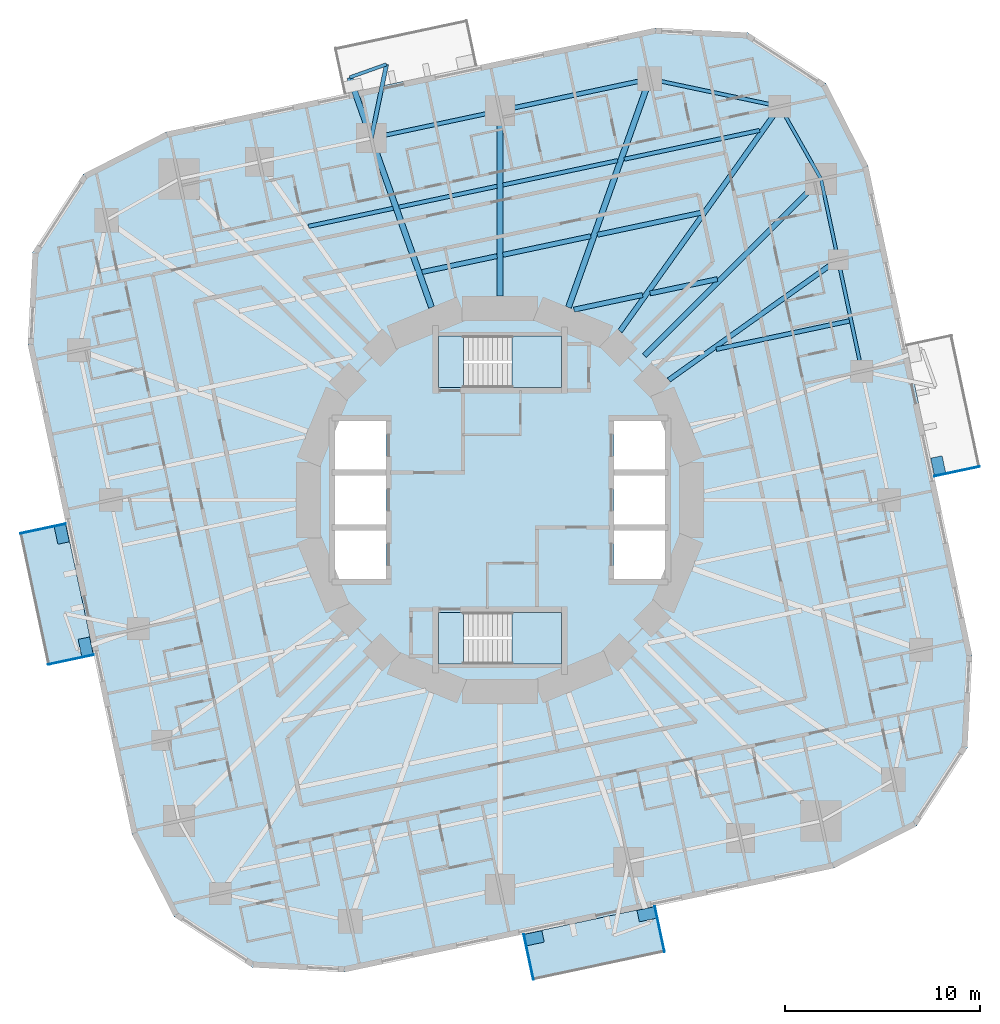
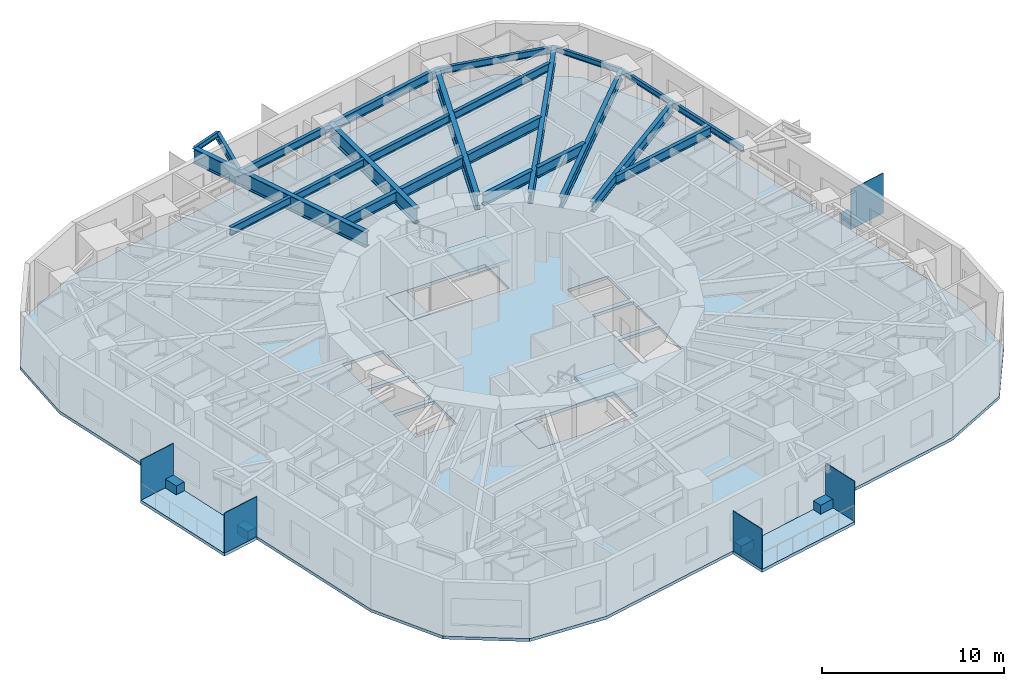
# One storey, part 3 of 14: 24 beams, 10 plates, 7 slabs, 2 elements without a shape of their own.
"""IFC4 building model written with IfcOpenShell, lengths in metres."""

from ifc_helpers import new_model, si_unit, direction, frame, origin, origin_2d, place, context, subcontext, project, spatial, polyline, rectangle, i_section, outline, extrude, material, layer, layer_set, material_profile, profile_set, type_object, element, aggregate, save


model = new_model("IFC4")

# Units and contexts
model_context = context("Model", 3, precision=1e-05, world=origin(), true_north=direction((0.0, 1.0)))
body_context = subcontext(model_context, "Body", "Model", "MODEL_VIEW")
ifc_project = project(units=[si_unit("LENGTHUNIT", "METRE"), si_unit("AREAUNIT", "SQUARE_METRE"), si_unit("VOLUMEUNIT", "CUBIC_METRE"), si_unit("PLANEANGLEUNIT", "RADIAN"), si_unit("MASSUNIT", "GRAM", prefix="KILO")], contexts=[model_context])

# Site, building, storey
site_placement = place(None, origin())
site = spatial("IfcSite", under=ifc_project, at=site_placement, CompositionType="ELEMENT")
building_placement = place(site_placement, origin())
building = spatial("IfcBuilding", under=site, at=building_placement, Name="Nakasero Lantern House", CompositionType="ELEMENT")
storey_placement = place(building_placement, frame((0.0, 0.0, 108.85009765625)))
storey = spatial("IfcBuildingStorey", under=building, at=storey_placement, Name="L26", CompositionType="ELEMENT", Elevation=108.85009765625)

# Beams
ifc_material_1 = material(Name="Steel S355", Category="steel")
ifc_material_profile_1 = material_profile(ifc_material_1, i_section(OverallWidth=0.2138671875, OverallDepth=0.549072265625, WebThickness=0.0146484375, FlangeThickness=0.023681640625, FilletRadius=0.0126953125, at=origin_2d()), Name="UB 533x210x138")
ifc_profile_set_1 = profile_set([ifc_material_profile_1], Name="Steel S355")
beam_type_1 = type_object("IfcBeamType", Name="Balcony splay beam UB 533x210x138", PredefinedType="BEAM", material=ifc_profile_set_1)
beam_1_placement = place(storey_placement, frame((-6.590087890625, 18.534912109375, 3.375244140625), z_axis=(0.201831438605, 0.979420272605, 0.0), x_axis=(-0.979420272605, 0.201831438605, 0.0)))
element("IfcBeam", 1, at=beam_1_placement, inside=storey, type_object=beam_type_1, Name="Balcony splay beam L27 B3-C10A", PredefinedType="BEAM", context=body_context, shape_type="SweptSolid", body=[
    extrude(i_section(OverallWidth=0.2138671875, OverallDepth=0.549072265625, WebThickness=0.0146484375, FlangeThickness=0.023681640625, FilletRadius=0.0126953125, at=origin_2d()), origin(), (0.0, 0.0, 1.0), 3.858642578125),
])
ifc_material_2 = material(Name="Steel S355", Category="steel")
ifc_material_profile_2 = material_profile(ifc_material_2, i_section(OverallWidth=0.17138671875, OverallDepth=0.35498046875, WebThickness=0.00732421875, FlangeThickness=0.011474609375, FilletRadius=0.01025390625, at=origin_2d()), Name="UB 356x171x51")
ifc_profile_set_2 = profile_set([ifc_material_profile_2], Name="Steel S355")
beam_type_2 = type_object("IfcBeamType", Name="Balcony tie beam UB 356x171x51", PredefinedType="BEAM", material=ifc_profile_set_2)
beam_2_placement = place(storey_placement, frame((-5.811279296875, 22.314208984375, 3.472412109375), z_axis=(-0.942196708721, -0.335060236487, 0.0), x_axis=(0.335060236487, -0.942196708721, 0.0)))
element("IfcBeam", 2, at=beam_2_placement, inside=storey, type_object=beam_type_2, Name="Balcony tie beam L27 B3-C10", PredefinedType="BEAM", context=body_context, shape_type="SweptSolid", body=[
    extrude(i_section(OverallWidth=0.17138671875, OverallDepth=0.35498046875, WebThickness=0.00732421875, FlangeThickness=0.011474609375, FilletRadius=0.01025390625, at=origin_2d()), origin(), (0.0, 0.0, 1.0), 2.000244140625),
])
ifc_material_3 = material(Name="Steel S355", Category="steel")
ifc_material_profile_3 = material_profile(ifc_material_3, i_section(OverallWidth=0.2099609375, OverallDepth=0.53662109375, WebThickness=0.0107421875, FlangeThickness=0.017333984375, FilletRadius=0.0126953125, at=origin_2d()), Name="UB 533x210x101")
ifc_profile_set_3 = profile_set([ifc_material_profile_3], Name="Steel S355")
beam_type_3 = type_object("IfcBeamType", Name="Infill beam UB 533x210x101", PredefinedType="JOIST", material=ifc_profile_set_3)
beam_3_placement = place(storey_placement, frame((-9.810302734375, 14.0166015625, 3.381591796875), z_axis=(0.978149057111, 0.207904838982, 0.0), x_axis=(-0.207904838982, 0.978149057111, 0.0)))
element("IfcBeam", 3, at=beam_3_placement, inside=storey, type_object=beam_type_3, Name="Infill beam L27 12.4", PredefinedType="JOIST", context=body_context, shape_type="SweptSolid", body=[
    extrude(i_section(OverallWidth=0.2099609375, OverallDepth=0.53662109375, WebThickness=0.0107421875, FlangeThickness=0.017333984375, FilletRadius=0.0126953125, at=origin_2d()), origin(), (0.0, 0.0, 1.0), 4.435302734375),
])
beam_4_placement = place(storey_placement, frame((-5.173828125, 15.002197265625, 3.381591796875), z_axis=(0.978153894908, 0.207882076853, 0.0), x_axis=(-0.207882076853, 0.978153894908, 0.0)))
element("IfcBeam", 4, at=beam_4_placement, inside=storey, type_object=beam_type_3, Name="Infill beam L27 12.5", PredefinedType="JOIST", context=body_context, shape_type="SweptSolid", body=[
    extrude(i_section(OverallWidth=0.2099609375, OverallDepth=0.53662109375, WebThickness=0.0107421875, FlangeThickness=0.017333984375, FilletRadius=0.0126953125, at=origin_2d()), origin(), (0.0, 0.0, 1.0), 5.13330078125),
])
beam_5_placement = place(storey_placement, frame((0.152587890625, 16.13427734375, 3.381591796875), z_axis=(0.978149438519, 0.207903044531, 0.0), x_axis=(-0.207903044531, 0.978149438519, 0.0)))
element("IfcBeam", 5, at=beam_5_placement, inside=storey, type_object=beam_type_3, Name="Infill beam L27 12.6", PredefinedType="JOIST", context=body_context, shape_type="SweptSolid", body=[
    extrude(i_section(OverallWidth=0.2099609375, OverallDepth=0.53662109375, WebThickness=0.0107421875, FlangeThickness=0.017333984375, FilletRadius=0.0126953125, at=origin_2d()), origin(), (0.0, 0.0, 1.0), 5.99951171875),
])
beam_6_placement = place(storey_placement, frame((6.365478515625, 17.454833984375, 3.381591796875), z_axis=(0.978149480204, 0.207902848411, 0.0), x_axis=(-0.207902848411, 0.978149480204, 0.0)))
element("IfcBeam", 6, at=beam_6_placement, inside=storey, type_object=beam_type_3, Name="Infill beam L27 12.7", PredefinedType="JOIST", context=body_context, shape_type="SweptSolid", body=[
    extrude(i_section(OverallWidth=0.2099609375, OverallDepth=0.53662109375, WebThickness=0.0107421875, FlangeThickness=0.017333984375, FilletRadius=0.0126953125, at=origin_2d()), origin(), (0.0, 0.0, 1.0), 7.085693359375),
])
ifc_material_4 = material(Name="Steel S355", Category="steel")
ifc_material_profile_4 = material_profile(ifc_material_4, i_section(OverallWidth=0.2275390625, OverallDepth=0.6025390625, WebThickness=0.010498046875, FlangeThickness=0.014892578125, FilletRadius=0.0126953125, at=origin_2d()), Name="UB 610x229x101")
ifc_profile_set_4 = profile_set([ifc_material_profile_4], Name="Steel S355")
beam_type_4 = type_object("IfcBeamType", Name="Infill beam UB 610x229x101", PredefinedType="JOIST", material=ifc_profile_set_4)
beam_7_placement = place(storey_placement, frame((11.077880859375, 7.721923828125, 3.3486328125), z_axis=(0.978143535939, 0.207930813255, 0.0), x_axis=(-0.207930813255, 0.978143535939, 0.0)))
element("IfcBeam", 7, at=beam_7_placement, inside=storey, type_object=beam_type_4, Name="Infill beam L27 09.3", PredefinedType="JOIST", context=body_context, shape_type="SweptSolid", body=[
    extrude(i_section(OverallWidth=0.2275390625, OverallDepth=0.6025390625, WebThickness=0.010498046875, FlangeThickness=0.014892578125, FilletRadius=0.0126953125, at=origin_2d()), origin(), (0.0, 0.0, 1.0), 6.9697265625),
])
ifc_material_5 = material(Name="Steel S355", Category="steel")
ifc_material_profile_5 = material_profile(ifc_material_5, i_section(OverallWidth=0.253662109375, OverallDepth=0.68359375, WebThickness=0.012451171875, FlangeThickness=0.01904296875, FilletRadius=0.01513671875, at=origin_2d()), Name="UB 686x254x140")
ifc_profile_set_5 = profile_set([ifc_material_profile_5], Name="Steel S355")
beam_type_5 = type_object("IfcBeamType", Name="Infill beam UB 686x254x140", PredefinedType="JOIST", material=ifc_profile_set_5)
beam_8_placement = place(storey_placement, frame((-3.990966796875, 11.67529296875, 3.30810546875), z_axis=(0.978145250615, 0.20792274695, 0.0), x_axis=(-0.20792274695, 0.978145250615, 0.0)))
element("IfcBeam", 8, at=beam_8_placement, inside=storey, type_object=beam_type_5, Name="Infill beam L27 11.4", PredefinedType="JOIST", context=body_context, shape_type="SweptSolid", body=[
    extrude(i_section(OverallWidth=0.253662109375, OverallDepth=0.68359375, WebThickness=0.012451171875, FlangeThickness=0.01904296875, FilletRadius=0.01513671875, at=origin_2d()), origin(), (0.0, 0.0, 1.0), 3.924072265625),
])
beam_9_placement = place(storey_placement, frame((0.152587890625, 12.55615234375, 3.30810546875), z_axis=(0.978148041119, 0.207909618957, 0.0), x_axis=(-0.207909618957, 0.978148041119, 0.0)))
element("IfcBeam", 9, at=beam_9_placement, inside=storey, type_object=beam_type_5, Name="Infill beam L27 11.5", PredefinedType="JOIST", context=body_context, shape_type="SweptSolid", body=[
    extrude(i_section(OverallWidth=0.253662109375, OverallDepth=0.68359375, WebThickness=0.012451171875, FlangeThickness=0.01904296875, FilletRadius=0.01513671875, at=origin_2d()), origin(), (0.0, 0.0, 1.0), 4.592529296875),
])
beam_10_placement = place(storey_placement, frame((4.989013671875, 13.584228515625, 3.30810546875), z_axis=(0.978155764637, 0.207873278962, 0.0), x_axis=(-0.207873278962, 0.978155764637, 0.0)))
element("IfcBeam", 10, at=beam_10_placement, inside=storey, type_object=beam_type_5, Name="Infill beam L27 11.6", PredefinedType="JOIST", context=body_context, shape_type="SweptSolid", body=[
    extrude(i_section(OverallWidth=0.253662109375, OverallDepth=0.68359375, WebThickness=0.012451171875, FlangeThickness=0.01904296875, FilletRadius=0.01513671875, at=origin_2d()), origin(), (0.0, 0.0, 1.0), 5.428466796875),
])
ifc_material_6 = material(Name="Steel S355", Category="steel")
ifc_material_profile_6 = material_profile(ifc_material_6, i_section(OverallWidth=0.255859375, OverallDepth=0.69287109375, WebThickness=0.014404296875, FlangeThickness=0.023681640625, FilletRadius=0.01513671875, at=origin_2d()), Name="UB 686x254x170")
ifc_profile_set_6 = profile_set([ifc_material_profile_6], Name="Steel S355")
beam_type_6 = type_object("IfcBeamType", Name="Infill beam UB 686x254x170", PredefinedType="JOIST", material=ifc_profile_set_6)
beam_11_placement = place(storey_placement, frame((3.78759765625, 9.75048828125, 3.303466796875), z_axis=(0.978149176892, 0.207904275439, 0.0), x_axis=(-0.207904275439, 0.978149176892, 0.0)))
element("IfcBeam", 11, at=beam_11_placement, inside=storey, type_object=beam_type_6, Name="Infill beam L27 10.4", PredefinedType="JOIST", context=body_context, shape_type="SweptSolid", body=[
    extrude(i_section(OverallWidth=0.255859375, OverallDepth=0.69287109375, WebThickness=0.014404296875, FlangeThickness=0.023681640625, FilletRadius=0.01513671875, at=origin_2d()), origin(), (0.0, 0.0, 1.0), 3.59228515625),
])
beam_12_placement = place(storey_placement, frame((7.686767578125, 10.579345703125, 3.303466796875), z_axis=(0.97814493323, 0.20792424004, 0.0), x_axis=(-0.20792424004, 0.97814493323, 0.0)))
element("IfcBeam", 12, at=beam_12_placement, inside=storey, type_object=beam_type_6, Name="Infill beam L27 10.5", PredefinedType="JOIST", context=body_context, shape_type="SweptSolid", body=[
    extrude(i_section(OverallWidth=0.255859375, OverallDepth=0.69287109375, WebThickness=0.014404296875, FlangeThickness=0.023681640625, FilletRadius=0.01513671875, at=origin_2d()), origin(), (0.0, 0.0, 1.0), 3.5224609375),
])
ifc_material_7 = material(Name="Steel S355", Category="steel")
ifc_material_profile_7 = material_profile(ifc_material_7, i_section(OverallWidth=0.300048828125, OverallDepth=0.989990234375, WebThickness=0.0166015625, FlangeThickness=0.031005859375, FilletRadius=0.030029296875, at=origin_2d()), Name="UB 1016x305x272")
ifc_profile_set_7 = profile_set([ifc_material_profile_7], Name="Steel S355")
beam_type_7 = type_object("IfcBeamType", Name="Primary beam UB 1016x305x272, span 12 to 15 m", PredefinedType="BEAM", material=ifc_profile_set_7)
beam_13_placement = place(storey_placement, frame((7.667724609375, 21.5654296875, 3.15478515625), z_axis=(-0.335011995103, -0.942213862739, 0.0), x_axis=(0.942213862739, -0.335011995103, 0.0)))
element("IfcBeam", 13, at=beam_13_placement, inside=storey, type_object=beam_type_7, Name="Primary beam L27 B3-C08", PredefinedType="BEAM", context=body_context, shape_type="SweptSolid", body=[
    extrude(i_section(OverallWidth=0.300048828125, OverallDepth=0.989990234375, WebThickness=0.0166015625, FlangeThickness=0.031005859375, FilletRadius=0.030029296875, at=origin_2d()), origin(), (0.0, 0.0, 1.0), 12.41650390625),
])
ifc_material_8 = material(Name="Steel S355", Category="steel")
ifc_material_profile_8 = material_profile(ifc_material_8, i_section(OverallWidth=0.302001953125, OverallDepth=1.008056640625, WebThickness=0.02099609375, FlangeThickness=0.0400390625, FilletRadius=0.030029296875, at=origin_2d()), Name="UB 1016x305x349")
ifc_profile_set_8 = profile_set([ifc_material_profile_8], Name="Steel S355")
beam_type_8 = type_object("IfcBeamType", Name="Primary beam UB 1016x305x349, span 9 to 12 m", PredefinedType="BEAM", material=ifc_profile_set_8)
beam_14_placement = place(storey_placement, frame((-7.69580078125, 21.64404296875, 3.145751953125), z_axis=(0.335020841845, -0.942210717159, 0.0), x_axis=(0.942210717159, 0.335020841845, 0.0)))
element("IfcBeam", 14, at=beam_14_placement, inside=storey, type_object=beam_type_8, Name="Primary beam L27 B3-C10", PredefinedType="BEAM", context=body_context, shape_type="SweptSolid", body=[
    extrude(i_section(OverallWidth=0.302001953125, OverallDepth=1.008056640625, WebThickness=0.02099609375, FlangeThickness=0.0400390625, FilletRadius=0.030029296875, at=origin_2d()), origin(), (0.0, 0.0, 1.0), 12.5),
])
ifc_material_9 = material(Name="Steel S355", Category="steel")
ifc_material_profile_9 = material_profile(ifc_material_9, i_section(OverallWidth=0.305419921875, OverallDepth=1.026123046875, WebThickness=0.02685546875, FlangeThickness=0.049072265625, FilletRadius=0.030029296875, at=origin_2d()), Name="UB 1016x305x437")
ifc_profile_set_9 = profile_set([ifc_material_profile_9], Name="Steel S355")
beam_type_9 = type_object("IfcBeamType", Name="Primary beam UB 1016x305x437, span 9 to 12 m", PredefinedType="BEAM", material=ifc_profile_set_9)
beam_15_placement = place(storey_placement, frame((0.0, 19.935546875, 3.136962890625), z_axis=(0.0, -1.0, 0.0), x_axis=(1.0, 0.0, 0.0)))
element("IfcBeam", 15, at=beam_15_placement, inside=storey, type_object=beam_type_9, Name="Primary beam L27 B3-C09", PredefinedType="BEAM", context=body_context, shape_type="SweptSolid", body=[
    extrude(i_section(OverallWidth=0.305419921875, OverallDepth=1.026123046875, WebThickness=0.02685546875, FlangeThickness=0.049072265625, FilletRadius=0.030029296875, at=origin_2d()), origin(), (0.0, 0.0, 1.0), 9.477783203125),
])
ifc_material_10 = material(Name="Steel S355", Category="steel")
ifc_material_profile_10 = material_profile(ifc_material_10, i_section(OverallWidth=0.253662109375, OverallDepth=0.68359375, WebThickness=0.012451171875, FlangeThickness=0.01904296875, FilletRadius=0.01513671875, at=origin_2d()), Name="UB 686x254x140")
ifc_profile_set_10 = profile_set([ifc_material_profile_10], Name="Steel S355")
beam_type_10 = type_object("IfcBeamType", Name="Primary beam UB 686x254x140, span 12 to 15 m", PredefinedType="BEAM", material=ifc_profile_set_10)
beam_16_placement = place(storey_placement, frame((16.44091796875, 16.44091796875, 3.30810546875), z_axis=(-0.707106781187, -0.707106781187, 0.0), x_axis=(0.707106781187, -0.707106781187, 0.0)))
element("IfcBeam", 16, at=beam_16_placement, inside=storey, type_object=beam_type_10, Name="Primary beam L27 B3-C06", PredefinedType="BEAM", context=body_context, shape_type="SweptSolid", body=[
    extrude(i_section(OverallWidth=0.253662109375, OverallDepth=0.68359375, WebThickness=0.012451171875, FlangeThickness=0.01904296875, FilletRadius=0.01513671875, at=origin_2d()), origin(), (0.0, 0.0, 1.0), 12.793212890625),
])
ifc_material_11 = material(Name="Steel S355", Category="steel")
ifc_material_profile_11 = material_profile(ifc_material_11, i_section(OverallWidth=0.253662109375, OverallDepth=0.68359375, WebThickness=0.012451171875, FlangeThickness=0.01904296875, FilletRadius=0.01513671875, at=origin_2d()), Name="UB 686x254x140")
ifc_profile_set_11 = profile_set([ifc_material_profile_11], Name="Steel S355")
beam_type_11 = type_object("IfcBeamType", Name="Primary beam UB 686x254x140, span 9 to 12 m", PredefinedType="BEAM", material=ifc_profile_set_11)
beam_17_placement = place(storey_placement, frame((17.318115234375, 12.31494140625, 3.30810546875), z_axis=(-0.814957491022, -0.579520739774, 0.0), x_axis=(0.579520739774, -0.814957491022, 0.0)))
element("IfcBeam", 17, at=beam_17_placement, inside=storey, type_object=beam_type_11, Name="Primary beam L27 B3-C05", PredefinedType="BEAM", context=body_context, shape_type="SweptSolid", body=[
    extrude(i_section(OverallWidth=0.253662109375, OverallDepth=0.68359375, WebThickness=0.012451171875, FlangeThickness=0.01904296875, FilletRadius=0.01513671875, at=origin_2d()), origin(), (0.0, 0.0, 1.0), 10.64453125),
])
ifc_material_12 = material(Name="Steel S355", Category="steel")
ifc_material_profile_12 = material_profile(ifc_material_12, i_section(OverallWidth=0.2666015625, OverallDepth=0.76220703125, WebThickness=0.014404296875, FlangeThickness=0.021484375, FilletRadius=0.0166015625, at=origin_2d()), Name="UB 762x267x173")
ifc_profile_set_12 = profile_set([ifc_material_profile_12], Name="Steel S355")
beam_type_12 = type_object("IfcBeamType", Name="Primary beam UB 762x267x173, span 12 to 15 m", PredefinedType="BEAM", material=ifc_profile_set_12)
beam_18_placement = place(storey_placement, frame((14.33349609375, 20.15625, 3.268798828125), z_axis=(-0.57953679421, -0.814946074386, 0.0), x_axis=(0.814946074386, -0.57953679421, 0.0)))
element("IfcBeam", 18, at=beam_18_placement, inside=storey, type_object=beam_type_12, Name="Primary beam L27 B3-C07", PredefinedType="BEAM", context=body_context, shape_type="SweptSolid", body=[
    extrude(i_section(OverallWidth=0.2666015625, OverallDepth=0.76220703125, WebThickness=0.014404296875, FlangeThickness=0.021484375, FilletRadius=0.0166015625, at=origin_2d()), origin(), (0.0, 0.0, 1.0), 14.127197265625),
])
ifc_material_13 = material(Name="Steel S355", Category="steel")
ifc_material_profile_13 = material_profile(ifc_material_13, i_section(OverallWidth=0.17138671875, OverallDepth=0.35498046875, WebThickness=0.00732421875, FlangeThickness=0.011474609375, FilletRadius=0.01025390625, at=origin_2d()), Name="UB 356x171x51")
ifc_profile_set_13 = profile_set([ifc_material_profile_13], Name="Steel S355")
beam_type_13 = type_object("IfcBeamType", Name="Ring beam UB 356x171x51", PredefinedType="BEAM", material=ifc_profile_set_13)
beam_19_placement = place(storey_placement, frame((17.318115234375, 12.31494140625, 3.472412109375), z_axis=(-0.207955665195, 0.978138252658, 0.0), x_axis=(-0.978138252658, -0.207955665195, 0.0)))
element("IfcBeam", 19, at=beam_19_placement, inside=storey, type_object=beam_type_13, Name="Ring beam L27 B3-C05", PredefinedType="BEAM", context=body_context, shape_type="SweptSolid", body=[
    extrude(i_section(OverallWidth=0.17138671875, OverallDepth=0.35498046875, WebThickness=0.00732421875, FlangeThickness=0.011474609375, FilletRadius=0.01025390625, at=origin_2d()), origin(), (0.0, 0.0, 1.0), 4.21826171875),
])
beam_20_placement = place(storey_placement, frame((16.44091796875, 16.44091796875, 3.472412109375), z_axis=(-0.493378832737, 0.869814536213, 0.0), x_axis=(-0.869814536213, -0.493378832737, 0.0)))
element("IfcBeam", 20, at=beam_20_placement, inside=storey, type_object=beam_type_13, Name="Ring beam L27 B3-C06", PredefinedType="BEAM", context=body_context, shape_type="SweptSolid", body=[
    extrude(i_section(OverallWidth=0.17138671875, OverallDepth=0.35498046875, WebThickness=0.00732421875, FlangeThickness=0.011474609375, FilletRadius=0.01025390625, at=origin_2d()), origin(), (0.0, 0.0, 1.0), 4.271484375),
])
ifc_material_14 = material(Name="Steel S355", Category="steel")
ifc_material_profile_14 = material_profile(ifc_material_14, i_section(OverallWidth=0.177978515625, OverallDepth=0.406494140625, WebThickness=0.0078125, FlangeThickness=0.0126953125, FilletRadius=0.01025390625, at=origin_2d()), Name="UB 406x178x60")
ifc_profile_set_14 = profile_set([ifc_material_profile_14], Name="Steel S355")
beam_type_14 = type_object("IfcBeamType", Name="Ring beam UB 406x178x60", PredefinedType="BEAM", material=ifc_profile_set_14)
beam_21_placement = place(storey_placement, frame((18.534912109375, 6.590087890625, 3.44677734375), z_axis=(-0.207902159541, 0.978149626621, 0.0), x_axis=(-0.978149626621, -0.207902159541, 0.0)))
element("IfcBeam", 21, at=beam_21_placement, inside=storey, type_object=beam_type_14, Name="Ring beam L27 B3-C04", PredefinedType="BEAM", context=body_context, shape_type="SweptSolid", body=[
    extrude(i_section(OverallWidth=0.177978515625, OverallDepth=0.406494140625, WebThickness=0.0078125, FlangeThickness=0.0126953125, FilletRadius=0.01025390625, at=origin_2d()), origin(), (0.0, 0.0, 1.0), 5.852783203125),
])
ifc_material_15 = material(Name="Steel S355", Category="steel")
ifc_material_profile_15 = material_profile(ifc_material_15, i_section(OverallWidth=0.18994140625, OverallDepth=0.453369140625, WebThickness=0.008544921875, FlangeThickness=0.0126953125, FilletRadius=0.01025390625, at=origin_2d()), Name="UB 457x191x67")
ifc_profile_set_15 = profile_set([ifc_material_profile_15], Name="Steel S355")
beam_type_15 = type_object("IfcBeamType", Name="Ring beam UB 457x191x67", PredefinedType="BEAM", material=ifc_profile_set_15)
beam_22_placement = place(storey_placement, frame((14.33349609375, 20.15625, 3.423095703125), z_axis=(-0.978376066473, 0.206833925052, 0.0), x_axis=(-0.206833925052, -0.978376066473, 0.0)))
element("IfcBeam", 22, at=beam_22_placement, inside=storey, type_object=beam_type_15, Name="Ring beam L27 B3-C07", PredefinedType="BEAM", context=body_context, shape_type="SweptSolid", body=[
    extrude(i_section(OverallWidth=0.18994140625, OverallDepth=0.453369140625, WebThickness=0.008544921875, FlangeThickness=0.0126953125, FilletRadius=0.01025390625, at=origin_2d()), origin(), (0.0, 0.0, 1.0), 6.81298828125),
])
ifc_material_16 = material(Name="Steel S355", Category="steel")
ifc_material_profile_16 = material_profile(ifc_material_16, i_section(OverallWidth=0.2099609375, OverallDepth=0.53662109375, WebThickness=0.0107421875, FlangeThickness=0.017333984375, FilletRadius=0.0126953125, at=origin_2d()), Name="UB 533x210x101")
ifc_profile_set_16 = profile_set([ifc_material_profile_16], Name="Steel S355")
beam_type_16 = type_object("IfcBeamType", Name="Ring beam UB 533x210x101", PredefinedType="BEAM", material=ifc_profile_set_16)
beam_23_placement = place(storey_placement, frame((0.0, 19.935546875, 3.381591796875), z_axis=(-0.978151574702, -0.20789299389, 0.0), x_axis=(0.20789299389, -0.978151574702, 0.0)))
element("IfcBeam", 23, at=beam_23_placement, inside=storey, type_object=beam_type_16, Name="Ring beam L27 B3-C09", PredefinedType="BEAM", context=body_context, shape_type="SweptSolid", body=[
    extrude(i_section(OverallWidth=0.2099609375, OverallDepth=0.53662109375, WebThickness=0.0107421875, FlangeThickness=0.017333984375, FilletRadius=0.0126953125, at=origin_2d()), origin(), (0.0, 0.0, 1.0), 6.7373046875),
])
ifc_material_17 = material(Name="Steel S355", Category="steel")
ifc_material_profile_17 = material_profile(ifc_material_17, i_section(OverallWidth=0.22900390625, OverallDepth=0.6123046875, WebThickness=0.011962890625, FlangeThickness=0.01953125, FilletRadius=0.0126953125, at=origin_2d()), Name="UB 610x229x125")
ifc_profile_set_17 = profile_set([ifc_material_profile_17], Name="Steel S355")
beam_type_17 = type_object("IfcBeamType", Name="Ring beam UB 610x229x125", PredefinedType="BEAM", material=ifc_profile_set_17)
beam_24_placement = place(storey_placement, frame((7.667724609375, 21.5654296875, 3.34375), z_axis=(-0.978146105516, -0.207918725139, 0.0), x_axis=(0.207918725139, -0.978146105516, 0.0)))
element("IfcBeam", 24, at=beam_24_placement, inside=storey, type_object=beam_type_17, Name="Ring beam L27 B3-C08", PredefinedType="BEAM", context=body_context, shape_type="SweptSolid", body=[
    extrude(i_section(OverallWidth=0.22900390625, OverallDepth=0.6123046875, WebThickness=0.011962890625, FlangeThickness=0.01953125, FilletRadius=0.0126953125, at=origin_2d()), origin(), (0.0, 0.0, 1.0), 7.839111328125),
])

# Plates
ifc_material_18 = material(Name="Aluminium 6063-T6", Category="aluminium")
ifc_layer_1 = layer(ifc_material_18, 0.60009765625)
ifc_layer_set_1 = layer_set([ifc_layer_1], Name="Balcony planter 600x900")
plate_type_1 = type_object("IfcPlateType", Name="Balcony planter 600x900", PredefinedType="USERDEFINED", material=ifc_layer_set_1)
for number, where, z_axis, x_axis, name in (
    (25, (22.443603515625, 1.764892578125, -0.000244140625), (0.0, 0.0, 1.0), (0.978147600734, 0.207911690818, 0.0), "Balcony PLANTER L26 BAL0A"),
    (26, (-22.443603515625, -1.764892578125, -0.000244140625), (0.0, 0.0, 1.0), (-0.978147600734, -0.207911690818, 0.0), "Balcony PLANTER L26 BAL2A"),
    (27, (-21.220947265625, -7.516357421875, -0.000244140625), (0.0, 0.0, 1.0), (-0.978147600734, -0.207911690818, 0.0), "Balcony PLANTER L26 BAL2B"),
    (28, (1.764892578125, -22.443603515625, -0.000244140625), (0.0, 0.0, 1.0), (0.207911690818, -0.978147600734, 0.0), "Balcony PLANTER L26 BAL3A"),
    (29, (7.516357421875, -21.220947265625, -0.000244140625), (0.0, 0.0, 1.0), (0.207911690818, -0.978147600734, 0.0), "Balcony PLANTER L26 BAL3B"),
):
    element("IfcPlate", number, at=place(storey_placement, frame(where, z_axis=z_axis, x_axis=x_axis)), inside=storey, type_object=plate_type_1, Name=name, ObjectType="PLANTER", PredefinedType="USERDEFINED", context=body_context, shape_type="SweptSolid", body=[
        extrude(rectangle(XDim=0.60009765625, YDim=0.89990234375, at=origin_2d()), origin(), (0.0, 0.0, 1.0), 0.60009765625),
    ])
ifc_material_19 = material(Name="Aluminium 6063-T6", Category="aluminium")
ifc_layer_2 = layer(ifc_material_19, 0.0400390625)
ifc_layer_set_2 = layer_set([ifc_layer_2], Name="Balcony screen 2400x2700")
plate_type_2 = type_object("IfcPlateType", Name="Balcony screen 2400x2700", PredefinedType="SHEET", material=ifc_layer_set_2)
for number, where, z_axis, x_axis, name in (
    (30, (23.40625, 1.468505859375, 0.0), (0.0, 0.0, 1.0), (0.978147600734, 0.207911690818, 0.0), "Balcony SCREEN L26 BAL0A"),
    (31, (-23.40625, -1.468505859375, 0.0), (0.0, 0.0, 1.0), (-0.978147600734, -0.207911690818, 0.0), "Balcony SCREEN L26 BAL2A"),
    (32, (-21.97998046875, -8.1787109375, 0.0), (0.0, 0.0, 1.0), (-0.978147600734, -0.207911690818, 0.0), "Balcony SCREEN L26 BAL2B"),
    (33, (1.468505859375, -23.40625, 0.0), (0.0, 0.0, 1.0), (0.207911690818, -0.978147600734, 0.0), "Balcony SCREEN L26 BAL3A"),
    (34, (8.1787109375, -21.97998046875, 0.0), (0.0, 0.0, 1.0), (0.207911690818, -0.978147600734, 0.0), "Balcony SCREEN L26 BAL3B"),
):
    element("IfcPlate", number, at=place(storey_placement, frame(where, z_axis=z_axis, x_axis=x_axis)), inside=storey, type_object=plate_type_2, Name=name, PredefinedType="SHEET", context=body_context, shape_type="SweptSolid", body=[
        extrude(rectangle(XDim=2.39990234375, YDim=0.0400390625, at=origin_2d()), origin(), (0.0, 0.0, 1.0), 2.699951171875),
    ])

# Slabs
ifc_material_20 = material(Name="Concrete C35/45", Category="concrete")
ifc_layer_3 = layer(ifc_material_20, 0.199951171875)
ifc_layer_set_3 = layer_set([ifc_layer_3], Name="Balcony slab 200")
slab_type_1 = type_object("IfcSlabType", Name="Balcony slab 200", PredefinedType="USERDEFINED", material=ifc_layer_set_3)
slab_1_placement = place(storey_placement, frame((0.0, 0.0, -0.2001953125)))
element("IfcSlab", 35, at=slab_1_placement, inside=storey, type_object=slab_type_1, Name="Balcony L26 BAL2", ObjectType="BALCONY", PredefinedType="USERDEFINED", context=body_context, shape_type="SweptSolid", body=[
    extrude(outline(polyline([(-22.236572265625, -1.199462890625), (-24.583984375, -1.698486328125), (-23.1494140625, -8.44775390625), (-20.802001953125, -7.94873046875), (-22.236572265625, -1.199462890625)])), origin(), (0.0, 0.0, 1.0), 0.2001953125),
])
slab_2_placement = place(storey_placement, frame((0.0, 0.0, -0.2001953125)))
element("IfcSlab", 36, at=slab_2_placement, inside=storey, type_object=slab_type_1, Name="Balcony L26 BAL3", ObjectType="BALCONY", PredefinedType="USERDEFINED", context=body_context, shape_type="SweptSolid", body=[
    extrude(outline(polyline([(1.199462890625, -22.236572265625), (1.698486328125, -24.583984375), (8.44775390625, -23.1494140625), (7.94873046875, -20.802001953125), (1.199462890625, -22.236572265625)])), origin(), (0.0, 0.0, 1.0), 0.2001953125),
])
ifc_material_21 = material(Name="Concrete C35/45", Category="concrete")
ifc_layer_4 = layer(ifc_material_21, 0.199951171875)
ifc_layer_set_4 = layer_set([ifc_layer_4], Name="Composite floor slab 200")
slab_type_2 = type_object("IfcSlabType", Name="Composite floor slab 200", PredefinedType="FLOOR", material=ifc_layer_set_4)
slab_3_placement = place(storey_placement, frame((0.0, 0.0, -0.2001953125)))
element("IfcSlab", 37, at=slab_3_placement, inside=storey, type_object=slab_type_2, Name="Floor slab L26", PredefinedType="FLOOR", context=body_context, shape_type="SweptSolid", body=[
    extrude(outline(polyline([(18.85791015625, 17.09423828125), (16.696044921875, 21.337646484375), (12.701904296875, 23.931396484375), (7.9462890625, 24.180419921875), (-17.09423828125, 18.85791015625), (-21.337646484375, 16.696044921875), (-23.931396484375, 12.701904296875), (-24.180419921875, 7.9462890625), (-18.85791015625, -17.09423828125), (-16.696044921875, -21.337646484375), (-12.701904296875, -23.931396484375), (-7.9462890625, -24.180419921875), (17.09423828125, -18.85791015625), (21.337646484375, -16.696044921875), (23.931396484375, -12.701904296875), (24.180419921875, -7.9462890625), (18.85791015625, 17.09423828125)]), holes=[polyline([(-8.449951171875, -4.050048828125), (-5.85009765625, -4.050048828125), (-5.85009765625, -1.550048828125), (-8.449951171875, -1.550048828125), (-8.449951171875, -4.050048828125)]), polyline([(-8.449951171875, -1.25), (-5.85009765625, -1.25), (-5.85009765625, 1.25), (-8.449951171875, 1.25), (-8.449951171875, -1.25)]), polyline([(-8.449951171875, 1.550048828125), (-5.85009765625, 1.550048828125), (-5.85009765625, 4.050048828125), (-8.449951171875, 4.050048828125), (-8.449951171875, 1.550048828125)]), polyline([(5.85009765625, -4.050048828125), (8.449951171875, -4.050048828125), (8.449951171875, -1.550048828125), (5.85009765625, -1.550048828125), (5.85009765625, -4.050048828125)]), polyline([(5.85009765625, -1.25), (8.449951171875, -1.25), (8.449951171875, 1.25), (5.85009765625, 1.25), (5.85009765625, -1.25)]), polyline([(5.85009765625, 1.550048828125), (8.449951171875, 1.550048828125), (8.449951171875, 4.050048828125), (5.85009765625, 4.050048828125), (5.85009765625, 1.550048828125)]), polyline([(-3.14990234375, 5.75), (3.14990234375, 5.75), (3.14990234375, 8.39990234375), (-3.14990234375, 8.39990234375), (-3.14990234375, 5.75)]), polyline([(-3.14990234375, -8.39990234375), (3.14990234375, -8.39990234375), (3.14990234375, -5.75), (-3.14990234375, -5.75), (-3.14990234375, -8.39990234375)])]), origin(), (0.0, 0.0, 1.0), 0.2001953125),
])

# Stair, slabs
ifc_material_22 = material(Name="Concrete C40/50", Category="concrete")
stair_type_1 = type_object("IfcStairType", Name="Escape stair ST1 22 risers", PredefinedType="HALF_TURN_STAIR", material=ifc_material_22)
stair_1_placement = place(storey_placement, origin())
stair_1 = element("IfcStair", 38, at=stair_1_placement, inside=storey, type_object=stair_type_1, Name="Escape stair ST1 L26", PredefinedType="HALF_TURN_STAIR")
ifc_material_23 = material(Name="Concrete C40/50", Category="concrete")
ifc_layer_5 = layer(ifc_material_23, 0.199951171875)
ifc_layer_set_5 = layer_set([ifc_layer_5], Name="Stair landing 200")
slab_type_3 = type_object("IfcSlabType", Name="Stair landing 200", PredefinedType="LANDING", material=ifc_layer_set_5)
slab_4_placement = place(storey_placement, frame((0.0, 0.0, -0.2001953125)))
slab_4 = element("IfcSlab", 39, at=slab_4_placement, type_object=slab_type_3, Name="ST1 landing 1", PredefinedType="LANDING", context=body_context, shape_type="SweptSolid", body=[
    extrude(outline(polyline([(-3.14990234375, 5.75), (-1.875, 5.75), (-1.875, 8.39990234375), (-3.14990234375, 8.39990234375), (-3.14990234375, 5.75)])), origin(), (0.0, 0.0, 1.0), 0.2001953125),
])
slab_5_placement = place(storey_placement, frame((0.0, 0.0, 1.724853515625)))
slab_5 = element("IfcSlab", 40, at=slab_5_placement, type_object=slab_type_3, Name="ST1 landing 2", PredefinedType="LANDING", context=body_context, shape_type="SweptSolid", body=[
    extrude(outline(polyline([(0.625, 5.75), (3.14990234375, 5.75), (3.14990234375, 8.39990234375), (0.625, 8.39990234375), (0.625, 5.75)])), origin(), (0.0, 0.0, 1.0), 0.199951171875),
])
aggregate(stair_1, [slab_4, slab_5])

ifc_material_24 = material(Name="Concrete C40/50", Category="concrete")
stair_type_2 = type_object("IfcStairType", Name="Escape stair ST2 22 risers", PredefinedType="HALF_TURN_STAIR", material=ifc_material_24)
stair_2_placement = place(storey_placement, origin())
stair_2 = element("IfcStair", 41, at=stair_2_placement, inside=storey, type_object=stair_type_2, Name="Escape stair ST2 L26", PredefinedType="HALF_TURN_STAIR")
slab_6_placement = place(storey_placement, frame((0.0, 0.0, -0.2001953125)))
slab_6 = element("IfcSlab", 42, at=slab_6_placement, type_object=slab_type_3, Name="ST2 landing 1", PredefinedType="LANDING", context=body_context, shape_type="SweptSolid", body=[
    extrude(outline(polyline([(-3.14990234375, -8.39990234375), (-1.875, -8.39990234375), (-1.875, -5.75), (-3.14990234375, -5.75), (-3.14990234375, -8.39990234375)])), origin(), (0.0, 0.0, 1.0), 0.2001953125),
])
slab_7_placement = place(storey_placement, frame((0.0, 0.0, 1.724853515625)))
slab_7 = element("IfcSlab", 43, at=slab_7_placement, type_object=slab_type_3, Name="ST2 landing 2", PredefinedType="LANDING", context=body_context, shape_type="SweptSolid", body=[
    extrude(outline(polyline([(0.625, -8.39990234375), (3.14990234375, -8.39990234375), (3.14990234375, -5.75), (0.625, -5.75), (0.625, -8.39990234375)])), origin(), (0.0, 0.0, 1.0), 0.199951171875),
])
aggregate(stair_2, [slab_6, slab_7])

save(model, "model.ifc")
